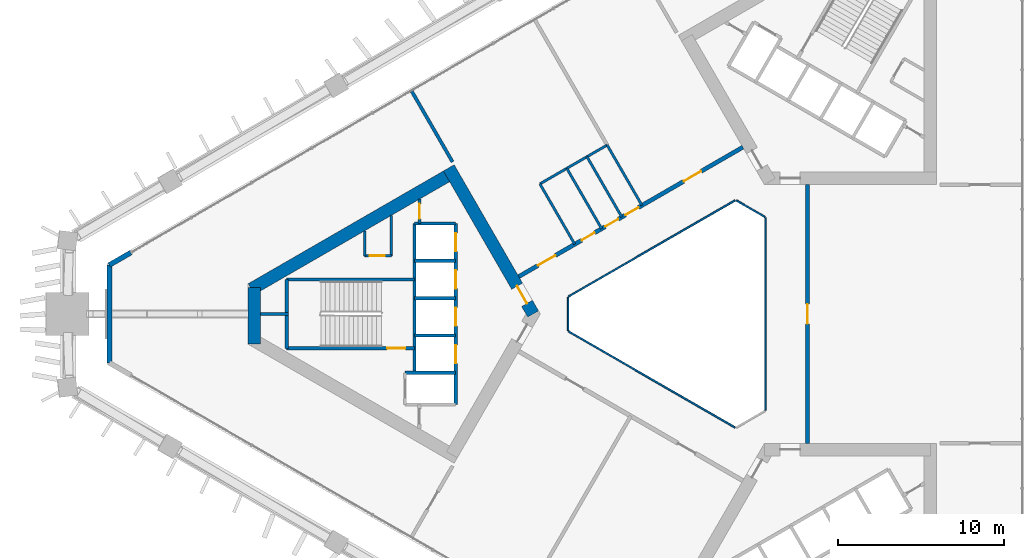
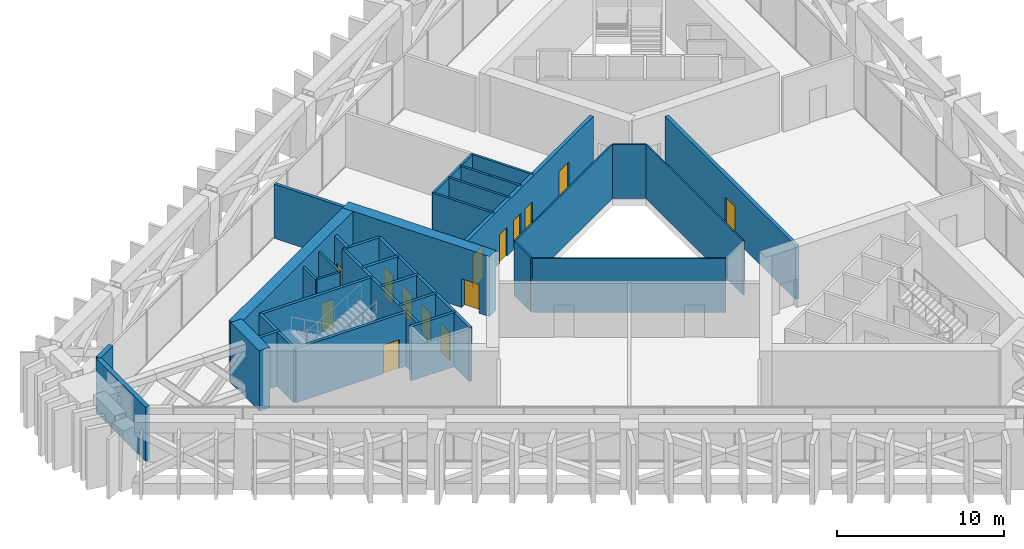
# One storey, part 13 of 17: 33 walls, 14 doors, 14 openings.
"""IFC4 building model written with IfcOpenShell, lengths in metres."""

from ifc_helpers import new_model, si_unit, direction, frame, frame_2d, origin, place, context, subcontext, project, spatial, rectangle, extrude, material, layer, layer_set, type_object, element, fill, save


model = new_model("IFC4")

# Units and contexts
model_context = context("Model", 3, precision=1e-05, world=origin(), true_north=direction((0.0, 1.0)))
body_context = subcontext(model_context, "Body", "Model", "MODEL_VIEW")
ifc_project = project(units=[si_unit("LENGTHUNIT", "METRE"), si_unit("AREAUNIT", "SQUARE_METRE"), si_unit("VOLUMEUNIT", "CUBIC_METRE"), si_unit("PLANEANGLEUNIT", "RADIAN"), si_unit("MASSUNIT", "GRAM", prefix="KILO")], contexts=[model_context])

# Site, building, storey
site_placement = place(None, origin())
site = spatial("IfcSite", under=ifc_project, at=site_placement, CompositionType="ELEMENT")
building_placement = place(site_placement, origin())
building = spatial("IfcBuilding", under=site, at=building_placement, Name="Jabali Bay Hotel Tower and Convention Centre", CompositionType="ELEMENT")
storey_placement = place(building_placement, frame((0.0, 0.0, 102.39990234375)))
storey = spatial("IfcBuildingStorey", under=building, at=storey_placement, Name="L24", CompositionType="ELEMENT", Elevation=102.39990234375)

# Walls
ifc_material_1 = material(Name="Fire-resistant glazing", Category="glass")
ifc_layer_1 = layer(ifc_material_1, 0.10009765625)
ifc_layer_set_1 = layer_set([ifc_layer_1], Name="Fire-resistant glazing")
wall_type_1 = type_object("IfcWallType", Name="Atrium glazed screen 100", PredefinedType="PARTITIONING", material=ifc_layer_set_1)
wall_1_placement = place(storey_placement, frame((79.56005859375, 74.205810546875, 0.0), z_axis=(0.0, 0.0, 1.0), x_axis=(0.0, 1.0, 0.0)))
element("IfcWall", 1, at=wall_1_placement, inside=storey, type_object=wall_type_1, Name="Atrium screen 1 L24", PredefinedType="PARTITIONING", context=body_context, shape_type="SweptSolid", body=[
    extrude(rectangle(XDim=11.58837890625, YDim=0.10009765625, at=frame_2d((5.794189453125, 0.0))), origin(), (0.0, 0.0, 1.0), 3.9501953125),
])
wall_2_placement = place(storey_placement, frame((79.530029296875, 85.84619140625, 0.0), z_axis=(0.0, 0.0, 1.0), x_axis=(-0.866041268327, 0.499972520799, 0.0)))
element("IfcWall", 2, at=wall_2_placement, inside=storey, type_object=wall_type_1, Name="Atrium screen 2 L24", PredefinedType="PARTITIONING", context=body_context, shape_type="SweptSolid", body=[
    extrude(rectangle(XDim=2.0, YDim=0.10009765625, at=frame_2d((1.0, 0.0))), origin(), (0.0, 0.0, 1.0), 3.9501953125),
])
wall_3_placement = place(storey_placement, frame((77.738037109375, 86.84619140625, 0.0), z_axis=(0.0, 0.0, 1.0), x_axis=(-0.866026658274, -0.499997827154, 0.0)))
element("IfcWall", 3, at=wall_3_placement, inside=storey, type_object=wall_type_1, Name="Atrium screen 3 L24", PredefinedType="PARTITIONING", context=body_context, shape_type="SweptSolid", body=[
    extrude(rectangle(XDim=11.58837890625, YDim=0.10009765625, at=frame_2d((5.794189453125, 0.0))), origin(), (0.0, 0.0, 1.0), 3.9501953125),
])
wall_4_placement = place(storey_placement, frame((67.672119140625, 81.0, 0.0), z_axis=(0.0, 0.0, 1.0), x_axis=(0.0, -1.0, 0.0)))
element("IfcWall", 4, at=wall_4_placement, inside=storey, type_object=wall_type_1, Name="Atrium screen 4 L24", PredefinedType="PARTITIONING", context=body_context, shape_type="SweptSolid", body=[
    extrude(rectangle(XDim=2.0, YDim=0.10009765625, at=frame_2d((1.0, 0.0))), origin(), (0.0, 0.0, 1.0), 3.9501953125),
])
wall_5_placement = place(storey_placement, frame((67.7021484375, 78.947998046875, 0.0), z_axis=(0.0, 0.0, 1.0), x_axis=(0.866026658274, -0.499997827154, 0.0)))
element("IfcWall", 5, at=wall_5_placement, inside=storey, type_object=wall_type_1, Name="Atrium screen 5 L24", PredefinedType="PARTITIONING", context=body_context, shape_type="SweptSolid", body=[
    extrude(rectangle(XDim=11.58837890625, YDim=0.10009765625, at=frame_2d((5.794189453125, 0.0))), origin(), (0.0, 0.0, 1.0), 3.9501953125),
])
ifc_material_2 = material(Name="Concrete C40", Category="concrete")
ifc_layer_2 = layer(ifc_material_2, 0.199951171875)
ifc_layer_set_2 = layer_set([ifc_layer_2], Name="Concrete C40")
wall_type_2 = type_object("IfcWallType", Name="Core partition wall 200", PredefinedType="PARTITIONING", material=ifc_layer_set_2)
wall_6_placement = place(storey_placement, frame((50.820068359375, 80.0, 0.0), z_axis=(0.0, 0.0, 1.0), x_axis=(-1.0, 0.0, 0.0)))
element("IfcWall", 6, at=wall_6_placement, inside=storey, type_object=wall_type_2, Name="Core wall 0.5 L24", PredefinedType="PARTITIONING", context=body_context, shape_type="SweptSolid", body=[
    extrude(rectangle(XDim=1.673095703125, YDim=0.199951171875, at=frame_2d((0.83642578125, 0.0))), origin(), (0.0, 0.0, 1.0), 3.9501953125),
])

# Wall, opening, door
wall_7_placement = place(storey_placement, frame((58.719970703125, 86.916748046875, 0.0), z_axis=(0.0, 0.0, 1.0), x_axis=(0.0, -1.0, 0.0)))
wall_7 = element("IfcWall", 7, at=wall_7_placement, inside=storey, type_object=wall_type_2, Name="Core wall 0.11 L24", PredefinedType="PARTITIONING", context=body_context, shape_type="SweptSolid", body=[
    extrude(rectangle(XDim=1.466796875, YDim=0.199951171875, at=frame_2d((0.7333984375, 0.0))), origin(), (0.0, 0.0, 1.0), 3.9501953125),
])
opening_1_placement = place(wall_7_placement, frame((0.283447265625, 0.0, 0.0)))
opening_1 = element("IfcOpeningElement", 8, at=opening_1_placement, cuts=wall_7, Name="Opening D549", PredefinedType="OPENING", context=body_context, shape_type="SweptSolid", body=[
    extrude(rectangle(XDim=0.89990234375, YDim=2.10009765625, at=frame_2d((0.449951171875, 1.050048828125))), frame((0.0, 0.1103515625, 0.0), z_axis=(0.0, -1.0, 0.0), x_axis=(1.0, 0.0, 0.0)), (0.0, 0.0, 1.0), 0.220947265625),
])
ifc_material_3 = material(Name="Fire-rated steel door", Category="steel")
door_type_1 = type_object("IfcDoorType", Name="Vestibule fire door 900 x 2100", OperationType="NOTDEFINED", PredefinedType="NOTDEFINED", material=ifc_material_3)
door_1_placement = place(opening_1_placement, origin())
door_1 = element("IfcDoor", 9, at=door_1_placement, inside=storey, type_object=door_type_1, Name="Vestibule fire door D549", OperationType="SINGLE_SWING_LEFT", OverallHeight=2.10009765625, OverallWidth=0.89990234375, PredefinedType="NOTDEFINED", context=body_context, shape_type="SweptSolid", body=[
    extrude(rectangle(XDim=0.89990234375, YDim=2.10009765625, at=frame_2d((0.449951171875, 1.050048828125))), frame((0.0, 0.02490234375, 0.0), z_axis=(0.0, -1.0, 0.0), x_axis=(1.0, 0.0, 0.0)), (0.0, 0.0, 1.0), 0.050048828125),
])
fill(opening_1, door_1)

ifc_material_4 = material(Name="Fire-rated board partition")
ifc_layer_3 = layer(ifc_material_4, 0.14990234375)
ifc_layer_set_3 = layer_set([ifc_layer_3], Name="Fire-rated board partition")
wall_type_3 = type_object("IfcWallType", Name="Core room partition 150", PredefinedType="PARTITIONING", material=ifc_layer_set_3)
wall_8_placement = place(storey_placement, frame((57.02001953125, 83.5, 0.0), z_axis=(0.0, 0.0, 1.0), x_axis=(-1.0, 0.0, 0.0)))
wall_8 = element("IfcWall", 10, at=wall_8_placement, inside=storey, type_object=wall_type_3, Name="Core wall 0.1 L24", PredefinedType="PARTITIONING", context=body_context, shape_type="SweptSolid", body=[
    extrude(rectangle(XDim=1.60009765625, YDim=0.14990234375, at=frame_2d((0.800048828125, 0.0))), origin(), (0.0, 0.0, 1.0), 3.9501953125),
])
opening_2_placement = place(wall_8_placement, frame((0.387451171875, 0.0, 0.0)))
opening_2 = element("IfcOpeningElement", 11, at=opening_2_placement, cuts=wall_8, Name="Opening D551", PredefinedType="OPENING", context=body_context, shape_type="SweptSolid", body=[
    extrude(rectangle(XDim=0.89990234375, YDim=2.10009765625, at=frame_2d((0.449951171875, 1.050048828125))), frame((0.0, 0.08544921875, 0.0), z_axis=(0.0, -1.0, 0.0), x_axis=(1.0, 0.0, 0.0)), (0.0, 0.0, 1.0), 0.1708984375),
])
door_type_2 = type_object("IfcDoorType", Name="Core room door 900 x 2100", OperationType="NOTDEFINED", PredefinedType="NOTDEFINED", material=ifc_material_3)
door_2_placement = place(opening_2_placement, origin())
door_2 = element("IfcDoor", 12, at=door_2_placement, inside=storey, type_object=door_type_2, Name="Core room door D551", OperationType="SINGLE_SWING_LEFT", OverallHeight=2.10009765625, OverallWidth=0.89990234375, PredefinedType="NOTDEFINED", context=body_context, shape_type="SweptSolid", body=[
    extrude(rectangle(XDim=0.89990234375, YDim=2.10009765625, at=frame_2d((0.449951171875, 1.050048828125))), frame((0.0, 0.02490234375, 0.0), z_axis=(0.0, -1.0, 0.0), x_axis=(1.0, 0.0, 0.0)), (0.0, 0.0, 1.0), 0.050048828125),
])
fill(opening_2, door_2)

# Walls
wall_9_placement = place(storey_placement, frame((57.02001953125, 85.935302734375, 0.0), z_axis=(0.0, 0.0, 1.0), x_axis=(0.0, -1.0, 0.0)))
element("IfcWall", 13, at=wall_9_placement, inside=storey, type_object=wall_type_3, Name="Core wall 0.15 L24", PredefinedType="PARTITIONING", context=body_context, shape_type="SweptSolid", body=[
    extrude(rectangle(XDim=2.435302734375, YDim=0.14990234375, at=frame_2d((1.2177734375, 0.0))), origin(), (0.0, 0.0, 1.0), 3.9501953125),
])
wall_10_placement = place(storey_placement, frame((55.419921875, 85.011474609375, 0.0), z_axis=(0.0, 0.0, 1.0), x_axis=(0.0, -1.0, 0.0)))
element("IfcWall", 14, at=wall_10_placement, inside=storey, type_object=wall_type_3, Name="Core wall 0.16 L24", PredefinedType="PARTITIONING", context=body_context, shape_type="SweptSolid", body=[
    extrude(rectangle(XDim=1.511474609375, YDim=0.14990234375, at=frame_2d((0.755859375, 0.0))), origin(), (0.0, 0.0, 1.0), 3.9501953125),
])
ifc_layer_4 = layer(ifc_material_2, 0.199951171875)
ifc_layer_set_4 = layer_set([ifc_layer_4], Name="Concrete C40")
wall_type_4 = type_object("IfcWallType", Name="Core stair wall 200", PredefinedType="SOLIDWALL", material=ifc_layer_set_4)
for number, where, z_axis, x_axis, name in (
    (15, (60.89990234375, 85.449951171875, 0.0), (0.0, 0.0, 1.0), (-1.0, 0.0, 0.0), "Core wall 0.0 L24"),
    (16, (60.89990234375, 83.199951171875, 0.0), (0.0, 0.0, 1.0), (-1.0, 0.0, 0.0), "Core wall 0.2 L24"),
):
    element("IfcWall", number, at=place(storey_placement, frame(where, z_axis=z_axis, x_axis=x_axis)), inside=storey, type_object=wall_type_4, Name=name, PredefinedType="SOLIDWALL", context=body_context, shape_type="SweptSolid", body=[
        extrude(rectangle(XDim=2.47998046875, YDim=0.199951171875, at=frame_2d((1.239990234375, 0.0))), origin(), (0.0, 0.0, 1.0), 3.9501953125),
    ])
wall_11_placement = place(storey_placement, frame((58.419921875, 82.074951171875, 0.0), z_axis=(0.0, 0.0, 1.0), x_axis=(-1.0, 0.0, 0.0)))
element("IfcWall", 17, at=wall_11_placement, inside=storey, type_object=wall_type_4, Name="Core wall 0.3 L24", PredefinedType="SOLIDWALL", context=body_context, shape_type="SweptSolid", body=[
    extrude(rectangle(XDim=7.699951171875, YDim=0.199951171875, at=frame_2d((3.85009765625, 0.0))), origin(), (0.0, 0.0, 1.0), 3.9501953125),
])
for number, where, z_axis, x_axis, name in (
    (18, (60.89990234375, 80.949951171875, 0.0), (0.0, 0.0, 1.0), (-1.0, 0.0, 0.0), "Core wall 0.4 L24"),
    (19, (60.89990234375, 78.699951171875, 0.0), (0.0, 0.0, 1.0), (-1.0, 0.0, 0.0), "Core wall 0.6 L24"),
):
    element("IfcWall", number, at=place(storey_placement, frame(where, z_axis=z_axis, x_axis=x_axis)), inside=storey, type_object=wall_type_4, Name=name, PredefinedType="SOLIDWALL", context=body_context, shape_type="SweptSolid", body=[
        extrude(rectangle(XDim=2.47998046875, YDim=0.199951171875, at=frame_2d((1.239990234375, 0.0))), origin(), (0.0, 0.0, 1.0), 3.9501953125),
    ])

# Wall, opening, door
wall_12_placement = place(storey_placement, frame((58.419921875, 77.925048828125, 0.0), z_axis=(0.0, 0.0, 1.0), x_axis=(-1.0, 0.0, 0.0)))
wall_12 = element("IfcWall", 20, at=wall_12_placement, inside=storey, type_object=wall_type_4, Name="Core wall 0.7 L24", PredefinedType="SOLIDWALL", context=body_context, shape_type="SweptSolid", body=[
    extrude(rectangle(XDim=7.699951171875, YDim=0.199951171875, at=frame_2d((3.85009765625, 0.0))), origin(), (0.0, 0.0, 1.0), 3.9501953125),
])
opening_3_placement = place(wall_12_placement, frame((0.550048828125, 0.0, 0.0)))
opening_3 = element("IfcOpeningElement", 21, at=opening_3_placement, cuts=wall_12, Name="Opening D550", PredefinedType="OPENING", context=body_context, shape_type="SweptSolid", body=[
    extrude(rectangle(XDim=1.10009765625, YDim=2.10009765625, at=frame_2d((0.550048828125, 1.050048828125))), frame((0.0, 0.1103515625, 0.0), z_axis=(0.0, -1.0, 0.0), x_axis=(1.0, 0.0, 0.0)), (0.0, 0.0, 1.0), 0.220947265625),
])
door_type_3 = type_object("IfcDoorType", Name="Stair fire door 1100 x 2100", OperationType="NOTDEFINED", PredefinedType="NOTDEFINED", material=ifc_material_3)
door_3_placement = place(opening_3_placement, origin())
door_3 = element("IfcDoor", 22, at=door_3_placement, inside=storey, type_object=door_type_3, Name="Stair fire door D550", OperationType="SINGLE_SWING_RIGHT", OverallHeight=2.10009765625, OverallWidth=1.10009765625, PredefinedType="NOTDEFINED", context=body_context, shape_type="SweptSolid", body=[
    extrude(rectangle(XDim=1.10009765625, YDim=2.10009765625, at=frame_2d((0.550048828125, 1.050048828125))), frame((0.0, 0.02490234375, 0.0), z_axis=(0.0, -1.0, 0.0), x_axis=(1.0, 0.0, 0.0)), (0.0, 0.0, 1.0), 0.050048828125),
])
fill(opening_3, door_3)

# Wall
wall_13_placement = place(storey_placement, frame((60.89990234375, 76.449951171875, 0.0), z_axis=(0.0, 0.0, 1.0), x_axis=(-1.0, 0.0, 0.0)))
element("IfcWall", 23, at=wall_13_placement, inside=storey, type_object=wall_type_4, Name="Core wall 0.8 L24", PredefinedType="SOLIDWALL", context=body_context, shape_type="SweptSolid", body=[
    extrude(rectangle(XDim=3.0498046875, YDim=0.199951171875, at=frame_2d((1.52490234375, 0.0))), origin(), (0.0, 0.0, 1.0), 3.9501953125),
])

# Wall, openings, doors
wall_14_placement = place(storey_placement, frame((60.89990234375, 85.449951171875, 0.0), z_axis=(0.0, 0.0, 1.0), x_axis=(0.0, -1.0, 0.0)))
wall_14 = element("IfcWall", 24, at=wall_14_placement, inside=storey, type_object=wall_type_4, Name="Core wall 0.10 L24", PredefinedType="SOLIDWALL", context=body_context, shape_type="SweptSolid", body=[
    extrude(rectangle(XDim=10.89990234375, YDim=0.199951171875, at=frame_2d((5.449951171875, 0.0))), origin(), (0.0, 0.0, 1.0), 3.9501953125),
])
opening_4_placement = place(wall_14_placement, frame((0.574951171875, 0.0, 0.0)))
opening_4 = element("IfcOpeningElement", 25, at=opening_4_placement, cuts=wall_14, Name="Opening LD1-L24", PredefinedType="OPENING", context=body_context, shape_type="SweptSolid", body=[
    extrude(rectangle(XDim=1.10009765625, YDim=2.10009765625, at=frame_2d((0.550048828125, 1.050048828125))), frame((0.0, 0.1103515625, 0.0), z_axis=(0.0, -1.0, 0.0), x_axis=(1.0, 0.0, 0.0)), (0.0, 0.0, 1.0), 0.220947265625),
])
opening_5_placement = place(wall_14_placement, frame((2.824951171875, 0.0, 0.0)))
opening_5 = element("IfcOpeningElement", 26, at=opening_5_placement, cuts=wall_14, Name="Opening LD2-L24", PredefinedType="OPENING", context=body_context, shape_type="SweptSolid", body=[
    extrude(rectangle(XDim=1.10009765625, YDim=2.10009765625, at=frame_2d((0.550048828125, 1.050048828125))), frame((0.0, 0.1103515625, 0.0), z_axis=(0.0, -1.0, 0.0), x_axis=(1.0, 0.0, 0.0)), (0.0, 0.0, 1.0), 0.220947265625),
])
opening_6_placement = place(wall_14_placement, frame((5.074951171875, 0.0, 0.0)))
opening_6 = element("IfcOpeningElement", 27, at=opening_6_placement, cuts=wall_14, Name="Opening LD3-L24", PredefinedType="OPENING", context=body_context, shape_type="SweptSolid", body=[
    extrude(rectangle(XDim=1.10009765625, YDim=2.10009765625, at=frame_2d((0.550048828125, 1.050048828125))), frame((0.0, 0.1103515625, 0.0), z_axis=(0.0, -1.0, 0.0), x_axis=(1.0, 0.0, 0.0)), (0.0, 0.0, 1.0), 0.220947265625),
])
opening_7_placement = place(wall_14_placement, frame((7.324951171875, 0.0, 0.0)))
opening_7 = element("IfcOpeningElement", 28, at=opening_7_placement, cuts=wall_14, Name="Opening LD4-L24", PredefinedType="OPENING", context=body_context, shape_type="SweptSolid", body=[
    extrude(rectangle(XDim=1.10009765625, YDim=2.10009765625, at=frame_2d((0.550048828125, 1.050048828125))), frame((0.0, 0.1103515625, 0.0), z_axis=(0.0, -1.0, 0.0), x_axis=(1.0, 0.0, 0.0)), (0.0, 0.0, 1.0), 0.220947265625),
])
ifc_material_5 = material(Name="Stainless steel landing door", Category="steel")
door_type_4 = type_object("IfcDoorType", Name="Landing door 1100 x 2100", OperationType="NOTDEFINED", PredefinedType="NOTDEFINED", material=ifc_material_5)
door_4_placement = place(opening_4_placement, origin())
door_4 = element("IfcDoor", 29, at=door_4_placement, inside=storey, type_object=door_type_4, Name="Landing doors LD1-L24", OperationType="SLIDING_TO_RIGHT", OverallHeight=2.10009765625, OverallWidth=1.10009765625, PredefinedType="NOTDEFINED", context=body_context, shape_type="SweptSolid", body=[
    extrude(rectangle(XDim=1.10009765625, YDim=2.10009765625, at=frame_2d((0.550048828125, 1.050048828125))), frame((0.0, 0.02490234375, 0.0), z_axis=(0.0, -1.0, 0.0), x_axis=(1.0, 0.0, 0.0)), (0.0, 0.0, 1.0), 0.050048828125),
])
fill(opening_4, door_4)
door_5_placement = place(opening_5_placement, origin())
door_5 = element("IfcDoor", 30, at=door_5_placement, inside=storey, type_object=door_type_4, Name="Landing doors LD2-L24", OperationType="SLIDING_TO_LEFT", OverallHeight=2.10009765625, OverallWidth=1.10009765625, PredefinedType="NOTDEFINED", context=body_context, shape_type="SweptSolid", body=[
    extrude(rectangle(XDim=1.10009765625, YDim=2.10009765625, at=frame_2d((0.550048828125, 1.050048828125))), frame((0.0, 0.02490234375, 0.0), z_axis=(0.0, -1.0, 0.0), x_axis=(1.0, 0.0, 0.0)), (0.0, 0.0, 1.0), 0.050048828125),
])
fill(opening_5, door_5)
door_6_placement = place(opening_6_placement, origin())
door_6 = element("IfcDoor", 31, at=door_6_placement, inside=storey, type_object=door_type_4, Name="Landing doors LD3-L24", OperationType="SLIDING_TO_RIGHT", OverallHeight=2.10009765625, OverallWidth=1.10009765625, PredefinedType="NOTDEFINED", context=body_context, shape_type="SweptSolid", body=[
    extrude(rectangle(XDim=1.10009765625, YDim=2.10009765625, at=frame_2d((0.550048828125, 1.050048828125))), frame((0.0, 0.02490234375, 0.0), z_axis=(0.0, -1.0, 0.0), x_axis=(1.0, 0.0, 0.0)), (0.0, 0.0, 1.0), 0.050048828125),
])
fill(opening_6, door_6)
door_7_placement = place(opening_7_placement, origin())
door_7 = element("IfcDoor", 32, at=door_7_placement, inside=storey, type_object=door_type_4, Name="Landing doors LD4-L24", OperationType="SLIDING_TO_LEFT", OverallHeight=2.10009765625, OverallWidth=1.10009765625, PredefinedType="NOTDEFINED", context=body_context, shape_type="SweptSolid", body=[
    extrude(rectangle(XDim=1.10009765625, YDim=2.10009765625, at=frame_2d((0.550048828125, 1.050048828125))), frame((0.0, 0.02490234375, 0.0), z_axis=(0.0, -1.0, 0.0), x_axis=(1.0, 0.0, 0.0)), (0.0, 0.0, 1.0), 0.050048828125),
])
fill(opening_7, door_7)

# Walls
wall_15_placement = place(storey_placement, frame((58.419921875, 85.449951171875, 0.0), z_axis=(0.0, 0.0, 1.0), x_axis=(0.0, -1.0, 0.0)))
element("IfcWall", 33, at=wall_15_placement, inside=storey, type_object=wall_type_4, Name="Core wall 0.13 L24", PredefinedType="SOLIDWALL", context=body_context, shape_type="SweptSolid", body=[
    extrude(rectangle(XDim=9.0, YDim=0.199951171875, at=frame_2d((4.5, 0.0))), origin(), (0.0, 0.0, 1.0), 3.9501953125),
])
wall_16_placement = place(storey_placement, frame((50.719970703125, 82.074951171875, 0.0), z_axis=(0.0, 0.0, 1.0), x_axis=(0.0, -1.0, 0.0)))
element("IfcWall", 34, at=wall_16_placement, inside=storey, type_object=wall_type_4, Name="Core wall 0.17 L24", PredefinedType="SOLIDWALL", context=body_context, shape_type="SweptSolid", body=[
    extrude(rectangle(XDim=4.14990234375, YDim=0.199951171875, at=frame_2d((2.074951171875, 0.0))), origin(), (0.0, 0.0, 1.0), 3.9501953125),
])

# Wall, opening, door
ifc_material_6 = material(Name="Concrete C60", Category="concrete")
ifc_layer_5 = layer(ifc_material_6, 0.75)
ifc_layer_set_5 = layer_set([ifc_layer_5], Name="Concrete C60")
wall_type_5 = type_object("IfcWallType", Name="Core wall 750", PredefinedType="SHEAR", material=ifc_layer_set_5)
wall_17_placement = place(storey_placement, frame((65.56689453125, 80.0, 0.0), z_axis=(0.0, 0.0, 1.0), x_axis=(-0.499988615364, 0.866031976607, 0.0)))
wall_17 = element("IfcWall", 35, at=wall_17_placement, inside=storey, type_object=wall_type_5, Name="Core wall 1.1 L24", PredefinedType="SHEAR", context=body_context, shape_type="SweptSolid", body=[
    extrude(rectangle(XDim=10.163330078125, YDim=0.75, at=frame_2d((5.08154296875, 0.0))), origin(), (0.0, 0.0, 1.0), 4.400146484375),
])
opening_8_placement = place(wall_17_placement, frame((0.7333984375, 0.0, 0.0)))
opening_8 = element("IfcOpeningElement", 36, at=opening_8_placement, cuts=wall_17, Name="Opening D546", PredefinedType="OPENING", context=body_context, shape_type="SweptSolid", body=[
    extrude(rectangle(XDim=1.199951171875, YDim=2.10009765625, at=frame_2d((0.60009765625, 1.050048828125))), frame((0.0, 0.385498046875, 0.0), z_axis=(0.0, -1.0, 0.0), x_axis=(1.0, 0.0, 0.0)), (0.0, 0.0, 1.0), 0.77099609375),
])
door_type_5 = type_object("IfcDoorType", Name="Corridor end fire door 1200 x 2100", OperationType="NOTDEFINED", PredefinedType="NOTDEFINED", material=ifc_material_3)
door_8_placement = place(opening_8_placement, origin())
door_8 = element("IfcDoor", 37, at=door_8_placement, inside=storey, type_object=door_type_5, Name="Corridor end fire door D546", OperationType="SINGLE_SWING_RIGHT", OverallHeight=2.10009765625, OverallWidth=1.199951171875, PredefinedType="NOTDEFINED", context=body_context, shape_type="SweptSolid", body=[
    extrude(rectangle(XDim=1.199951171875, YDim=2.10009765625, at=frame_2d((0.60009765625, 1.050048828125))), frame((0.0, 0.02490234375, 0.0), z_axis=(0.0, -1.0, 0.0), x_axis=(1.0, 0.0, 0.0)), (0.0, 0.0, 1.0), 0.050048828125),
])
fill(opening_8, door_8)

# Walls
wall_18_placement = place(storey_placement, frame((60.6728515625, 88.47705078125, 0.0), z_axis=(0.0, 0.0, 1.0), x_axis=(-0.8660248072, -0.500001033313, 0.0)))
element("IfcWall", 38, at=wall_18_placement, inside=storey, type_object=wall_type_5, Name="Core wall 1.2 L24", PredefinedType="SHEAR", context=body_context, shape_type="SweptSolid", body=[
    extrude(rectangle(XDim=13.95849609375, YDim=0.75, at=frame_2d((6.979248046875, 0.0))), origin(), (0.0, 0.0, 1.0), 4.400146484375),
])
wall_19_placement = place(storey_placement, frame((48.77197265625, 81.606201171875, 0.0), z_axis=(0.0, 0.0, 1.0), x_axis=(0.0, -1.0, 0.0)))
element("IfcWall", 39, at=wall_19_placement, inside=storey, type_object=wall_type_5, Name="Core wall 1.3 L24", PredefinedType="SHEAR", context=body_context, shape_type="SweptSolid", body=[
    extrude(rectangle(XDim=3.428955078125, YDim=0.75, at=frame_2d((1.71435546875, 0.0))), origin(), (0.0, 0.0, 1.0), 4.400146484375),
])

# Wall, opening, door
ifc_layer_6 = layer(ifc_material_6, 0.25)
ifc_layer_set_6 = layer_set([ifc_layer_6], Name="Concrete C60")
wall_type_6 = type_object("IfcWallType", Name="Corridor wall 250", PredefinedType="SHEAR", material=ifc_layer_set_6)
wall_20_placement = place(storey_placement, frame((82.10009765625, 72.205810546875, 0.0), z_axis=(0.0, 0.0, 1.0), x_axis=(0.0, 1.0, 0.0)))
wall_20 = element("IfcWall", 40, at=wall_20_placement, inside=storey, type_object=wall_type_6, Name="Corridor wall 1 L24", PredefinedType="SHEAR", context=body_context, shape_type="SweptSolid", body=[
    extrude(rectangle(XDim=15.58837890625, YDim=0.25, at=frame_2d((7.794189453125, 0.0))), origin(), (0.0, 0.0, 1.0), 3.9501953125),
])
opening_9_placement = place(wall_20_placement, frame((7.194091796875, 0.0, 0.0)))
opening_9 = element("IfcOpeningElement", 41, at=opening_9_placement, cuts=wall_20, Name="Opening 2401", PredefinedType="OPENING", context=body_context, shape_type="SweptSolid", body=[
    extrude(rectangle(XDim=1.199951171875, YDim=2.39990234375, at=frame_2d((0.60009765625, 1.199951171875))), frame((0.0, 0.135498046875, 0.0), z_axis=(0.0, -1.0, 0.0), x_axis=(1.0, 0.0, 0.0)), (0.0, 0.0, 1.0), 0.27099609375),
])
ifc_material_7 = material(Name="Timber", Category="wood")
door_type_6 = type_object("IfcDoorType", Name="Public room door 1200 x 2400", OperationType="NOTDEFINED", PredefinedType="NOTDEFINED", material=ifc_material_7)
door_9_placement = place(opening_9_placement, origin())
door_9 = element("IfcDoor", 42, at=door_9_placement, inside=storey, type_object=door_type_6, Name="Door 2401", OperationType="SINGLE_SWING_RIGHT", OverallHeight=2.39990234375, OverallWidth=1.199951171875, PredefinedType="NOTDEFINED", context=body_context, shape_type="SweptSolid", body=[
    extrude(rectangle(XDim=1.199951171875, YDim=2.39990234375, at=frame_2d((0.60009765625, 1.199951171875))), frame((0.0, 0.02490234375, 0.0), z_axis=(0.0, -1.0, 0.0), x_axis=(1.0, 0.0, 0.0)), (0.0, 0.0, 1.0), 0.050048828125),
])
fill(opening_9, door_9)

# Wall, openings, doors
wall_21_placement = place(storey_placement, frame((78.199951171875, 90.0458984375, 0.0), z_axis=(0.0, 0.0, 1.0), x_axis=(-0.866026492143, -0.499998114903, 0.0)))
wall_21 = element("IfcWall", 43, at=wall_21_placement, inside=storey, type_object=wall_type_6, Name="Corridor wall 2 L24", PredefinedType="SHEAR", context=body_context, shape_type="SweptSolid", body=[
    extrude(rectangle(XDim=15.58837890625, YDim=0.25, at=frame_2d((7.794189453125, 0.0))), origin(), (0.0, 0.0, 1.0), 3.9501953125),
])
opening_10_placement = place(wall_21_placement, frame((2.907470703125, 0.0, 0.0)))
opening_10 = element("IfcOpeningElement", 44, at=opening_10_placement, cuts=wall_21, Name="Opening 2402", PredefinedType="OPENING", context=body_context, shape_type="SweptSolid", body=[
    extrude(rectangle(XDim=1.199951171875, YDim=2.39990234375, at=frame_2d((0.60009765625, 1.199951171875))), frame((0.0, 0.135498046875, 0.0), z_axis=(0.0, -1.0, 0.0), x_axis=(1.0, 0.0, 0.0)), (0.0, 0.0, 1.0), 0.27099609375),
])
opening_11_placement = place(wall_21_placement, frame((7.266357421875, 0.0, 0.0)))
opening_11 = element("IfcOpeningElement", 45, at=opening_11_placement, cuts=wall_21, Name="Opening 2403", PredefinedType="OPENING", context=body_context, shape_type="SweptSolid", body=[
    extrude(rectangle(XDim=0.89990234375, YDim=2.10009765625, at=frame_2d((0.449951171875, 1.050048828125))), frame((0.0, 0.135498046875, 0.0), z_axis=(0.0, -1.0, 0.0), x_axis=(1.0, 0.0, 0.0)), (0.0, 0.0, 1.0), 0.27099609375),
])
opening_12_placement = place(wall_21_placement, frame((8.669189453125, 0.0, 0.0)))
opening_12 = element("IfcOpeningElement", 46, at=opening_12_placement, cuts=wall_21, Name="Opening 2404", PredefinedType="OPENING", context=body_context, shape_type="SweptSolid", body=[
    extrude(rectangle(XDim=0.89990234375, YDim=2.10009765625, at=frame_2d((0.449951171875, 1.050048828125))), frame((0.0, 0.135498046875, 0.0), z_axis=(0.0, -1.0, 0.0), x_axis=(1.0, 0.0, 0.0)), (0.0, 0.0, 1.0), 0.27099609375),
])
opening_13_placement = place(wall_21_placement, frame((10.305908203125, 0.0, 0.0)))
opening_13 = element("IfcOpeningElement", 47, at=opening_13_placement, cuts=wall_21, Name="Opening 2405", PredefinedType="OPENING", context=body_context, shape_type="SweptSolid", body=[
    extrude(rectangle(XDim=0.89990234375, YDim=2.10009765625, at=frame_2d((0.449951171875, 1.050048828125))), frame((0.0, 0.135498046875, 0.0), z_axis=(0.0, -1.0, 0.0), x_axis=(1.0, 0.0, 0.0)), (0.0, 0.0, 1.0), 0.27099609375),
])
opening_14_placement = place(wall_21_placement, frame((13.039794921875, 0.0, 0.0)))
opening_14 = element("IfcOpeningElement", 48, at=opening_14_placement, cuts=wall_21, Name="Opening 2406", PredefinedType="OPENING", context=body_context, shape_type="SweptSolid", body=[
    extrude(rectangle(XDim=1.199951171875, YDim=2.39990234375, at=frame_2d((0.60009765625, 1.199951171875))), frame((0.0, 0.135498046875, 0.0), z_axis=(0.0, -1.0, 0.0), x_axis=(1.0, 0.0, 0.0)), (0.0, 0.0, 1.0), 0.27099609375),
])
door_type_7 = type_object("IfcDoorType", Name="Accessible en-suite door 900 x 2100", OperationType="NOTDEFINED", PredefinedType="NOTDEFINED", material=ifc_material_7)
door_10_placement = place(opening_13_placement, origin())
door_10 = element("IfcDoor", 49, at=door_10_placement, inside=storey, type_object=door_type_7, Name="Door 2405", OperationType="SINGLE_SWING_RIGHT", OverallHeight=2.10009765625, OverallWidth=0.89990234375, PredefinedType="NOTDEFINED", context=body_context, shape_type="SweptSolid", body=[
    extrude(rectangle(XDim=0.89990234375, YDim=2.10009765625, at=frame_2d((0.449951171875, 1.050048828125))), frame((0.0, 0.02490234375, 0.0), z_axis=(0.0, -1.0, 0.0), x_axis=(1.0, 0.0, 0.0)), (0.0, 0.0, 1.0), 0.050048828125),
])
fill(opening_13, door_10)
door_type_8 = type_object("IfcDoorType", Name="Internal door 900 x 2100", OperationType="NOTDEFINED", PredefinedType="NOTDEFINED", material=ifc_material_7)
door_11_placement = place(opening_11_placement, origin())
door_11 = element("IfcDoor", 50, at=door_11_placement, inside=storey, type_object=door_type_8, Name="Door 2403", OperationType="SINGLE_SWING_LEFT", OverallHeight=2.10009765625, OverallWidth=0.89990234375, PredefinedType="NOTDEFINED", context=body_context, shape_type="SweptSolid", body=[
    extrude(rectangle(XDim=0.89990234375, YDim=2.10009765625, at=frame_2d((0.449951171875, 1.050048828125))), frame((0.0, 0.02490234375, 0.0), z_axis=(0.0, -1.0, 0.0), x_axis=(1.0, 0.0, 0.0)), (0.0, 0.0, 1.0), 0.050048828125),
])
fill(opening_11, door_11)
door_12_placement = place(opening_12_placement, origin())
door_12 = element("IfcDoor", 51, at=door_12_placement, inside=storey, type_object=door_type_8, Name="Door 2404", OperationType="SINGLE_SWING_RIGHT", OverallHeight=2.10009765625, OverallWidth=0.89990234375, PredefinedType="NOTDEFINED", context=body_context, shape_type="SweptSolid", body=[
    extrude(rectangle(XDim=0.89990234375, YDim=2.10009765625, at=frame_2d((0.449951171875, 1.050048828125))), frame((0.0, 0.02490234375, 0.0), z_axis=(0.0, -1.0, 0.0), x_axis=(1.0, 0.0, 0.0)), (0.0, 0.0, 1.0), 0.050048828125),
])
fill(opening_12, door_12)
door_13_placement = place(opening_10_placement, origin())
door_13 = element("IfcDoor", 52, at=door_13_placement, inside=storey, type_object=door_type_6, Name="Door 2402", OperationType="SINGLE_SWING_LEFT", OverallHeight=2.39990234375, OverallWidth=1.199951171875, PredefinedType="NOTDEFINED", context=body_context, shape_type="SweptSolid", body=[
    extrude(rectangle(XDim=1.199951171875, YDim=2.39990234375, at=frame_2d((0.60009765625, 1.199951171875))), frame((0.0, 0.02490234375, 0.0), z_axis=(0.0, -1.0, 0.0), x_axis=(1.0, 0.0, 0.0)), (0.0, 0.0, 1.0), 0.050048828125),
])
fill(opening_10, door_13)
door_14_placement = place(opening_14_placement, origin())
door_14 = element("IfcDoor", 53, at=door_14_placement, inside=storey, type_object=door_type_6, Name="Door 2406", OperationType="SINGLE_SWING_RIGHT", OverallHeight=2.39990234375, OverallWidth=1.199951171875, PredefinedType="NOTDEFINED", context=body_context, shape_type="SweptSolid", body=[
    extrude(rectangle(XDim=1.199951171875, YDim=2.39990234375, at=frame_2d((0.60009765625, 1.199951171875))), frame((0.0, 0.02490234375, 0.0), z_axis=(0.0, -1.0, 0.0), x_axis=(1.0, 0.0, 0.0)), (0.0, 0.0, 1.0), 0.050048828125),
])
fill(opening_14, door_14)

# Walls
ifc_layer_7 = layer(ifc_material_2, 0.300048828125)
ifc_layer_set_7 = layer_set([ifc_layer_7], Name="Concrete C40")
wall_type_7 = type_object("IfcWallType", Name="External wall 300", PredefinedType="SOLIDWALL", material=ifc_layer_set_7)
wall_22_placement = place(storey_placement, frame((40.029541015625, 77.052001953125, 0.0), z_axis=(0.0, 0.0, 1.0), x_axis=(0.0, 1.0, 0.0)))
element("IfcWall", 54, at=wall_22_placement, inside=storey, type_object=wall_type_7, Name="External wall west chamfer L24", PredefinedType="SOLIDWALL", context=body_context, shape_type="SweptSolid", body=[
    extrude(rectangle(XDim=5.89599609375, YDim=0.300048828125, at=frame_2d((2.947998046875, 0.0))), origin(), (0.0, 0.0, 1.0), 3.9501953125),
])
wall_23_placement = place(storey_placement, frame((40.029541015625, 82.947998046875, 0.0), z_axis=(0.0, 0.0, 1.0), x_axis=(0.866031096941, 0.499990139034, 0.0)))
element("IfcWall", 55, at=wall_23_placement, inside=storey, type_object=wall_type_7, Name="External wall north-west face L24", PredefinedType="SOLIDWALL", context=body_context, shape_type="SweptSolid", body=[
    extrude(rectangle(XDim=1.5, YDim=0.300048828125, at=frame_2d((0.75, 0.0))), origin(), (0.0, 0.0, 1.0), 3.9501953125),
])
ifc_material_8 = material(Name="Plasterboard on steel stud", Category="steel")
ifc_layer_8 = layer(ifc_material_8, 0.14990234375)
ifc_layer_set_8 = layer_set([ifc_layer_8], Name="Plasterboard on steel stud")
wall_type_8 = type_object("IfcWallType", Name="Partition 150 wet", PredefinedType="PARTITIONING", material=ifc_layer_set_8)
for number, where, z_axis, x_axis, name in (
    (56, (70.02490234375, 90.17578125, 0.0), (0.0, 0.0, 1.0), (0.500027713859, -0.866009402589, 0.0), "Partition P03 L24 003"),
    (57, (68.81005859375, 89.474365234375, 0.0), (0.0, 0.0, 1.0), (0.499958946799, -0.866049104564, 0.0), "Partition P03 L24 006"),
):
    element("IfcWall", number, at=place(storey_placement, frame(where, z_axis=z_axis, x_axis=x_axis)), inside=storey, type_object=wall_type_8, Name=name, PredefinedType="PARTITIONING", context=body_context, shape_type="SweptSolid", body=[
        extrude(rectangle(XDim=4.199951171875, YDim=0.14990234375, at=frame_2d((2.10009765625, 0.0))), origin(), (0.0, 0.0, 1.0), 3.9501953125),
    ])
wall_24_placement = place(storey_placement, frame((67.594970703125, 88.77294921875, 0.0), z_axis=(0.0, 0.0, 1.0), x_axis=(0.500002543286, -0.866023935413, 0.0)))
element("IfcWall", 58, at=wall_24_placement, inside=storey, type_object=wall_type_8, Name="Partition P03 L24 007", PredefinedType="PARTITIONING", context=body_context, shape_type="SweptSolid", body=[
    extrude(rectangle(XDim=4.2001953125, YDim=0.14990234375, at=frame_2d((2.10009765625, 0.0))), origin(), (0.0, 0.0, 1.0), 3.9501953125),
])
wall_25_placement = place(storey_placement, frame((70.025390625, 90.175048828125, 0.0), z_axis=(0.0, 0.0, 1.0), x_axis=(-0.866004747009, -0.500035776878, 0.0)))
element("IfcWall", 59, at=wall_25_placement, inside=storey, type_object=wall_type_8, Name="Partition P03 L24 008", PredefinedType="PARTITIONING", context=body_context, shape_type="SweptSolid", body=[
    extrude(rectangle(XDim=4.676513671875, YDim=0.14990234375, at=frame_2d((2.33837890625, 0.0))), origin(), (0.0, 0.0, 1.0), 3.9501953125),
])
wall_26_placement = place(storey_placement, frame((65.9755859375, 87.836669921875, 0.0), z_axis=(0.0, 0.0, 1.0), x_axis=(0.499972428603, -0.866041321553, 0.0)))
element("IfcWall", 60, at=wall_26_placement, inside=storey, type_object=wall_type_8, Name="Partition P03 L24 009", PredefinedType="PARTITIONING", context=body_context, shape_type="SweptSolid", body=[
    extrude(rectangle(XDim=4.198974609375, YDim=0.14990234375, at=frame_2d((2.099609375, 0.0))), origin(), (0.0, 0.0, 1.0), 3.9501953125),
])
ifc_layer_9 = layer(ifc_material_8, 0.199951171875)
ifc_layer_set_9 = layer_set([ifc_layer_9], Name="Plasterboard on steel stud")
wall_type_9 = type_object("IfcWallType", Name="Partition 200 party", PredefinedType="PARTITIONING", material=ifc_layer_set_9)
wall_27_placement = place(storey_placement, frame((60.71044921875, 89.16162109375, 0.0), z_axis=(0.0, 0.0, 1.0), x_axis=(-0.499982380289, 0.86603557629, 0.0)))
element("IfcWall", 61, at=wall_27_placement, inside=storey, type_object=wall_type_9, Name="Partition P01 L24 010", PredefinedType="PARTITIONING", context=body_context, shape_type="SweptSolid", body=[
    extrude(rectangle(XDim=4.905517578125, YDim=0.199951171875, at=frame_2d((2.45263671875, 0.0))), origin(), (0.0, 0.0, 1.0), 3.9501953125),
])

save(model, "model.ifc")
